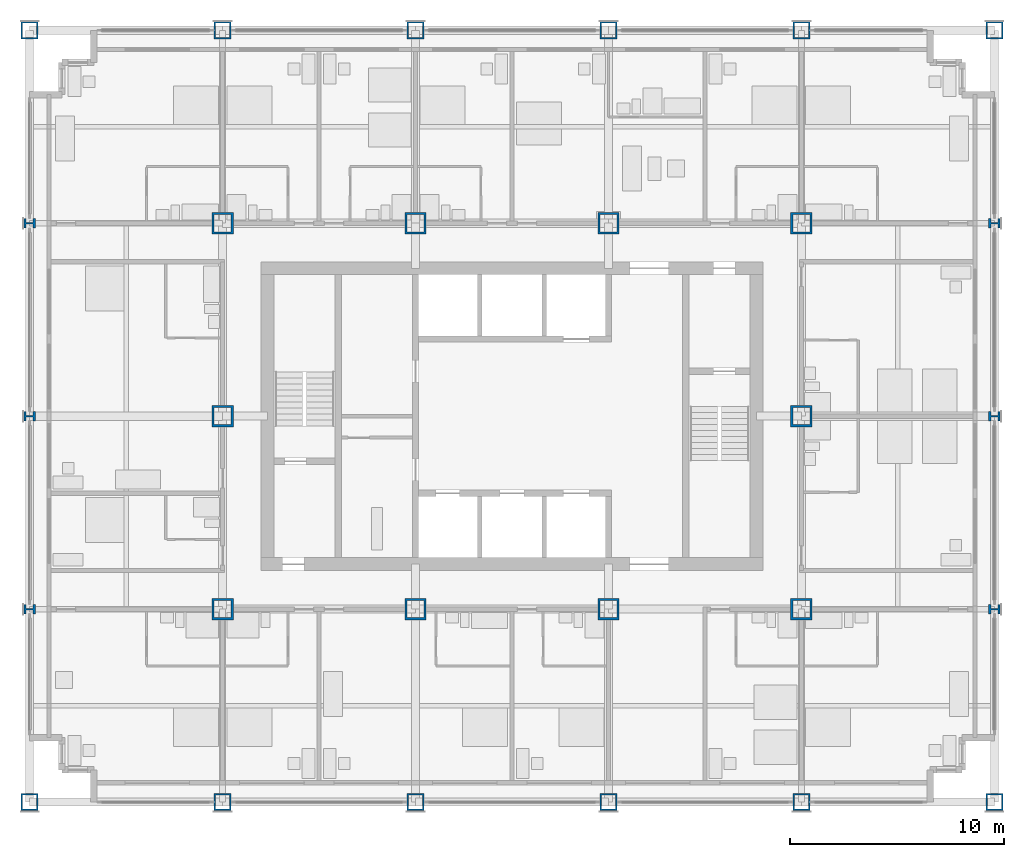
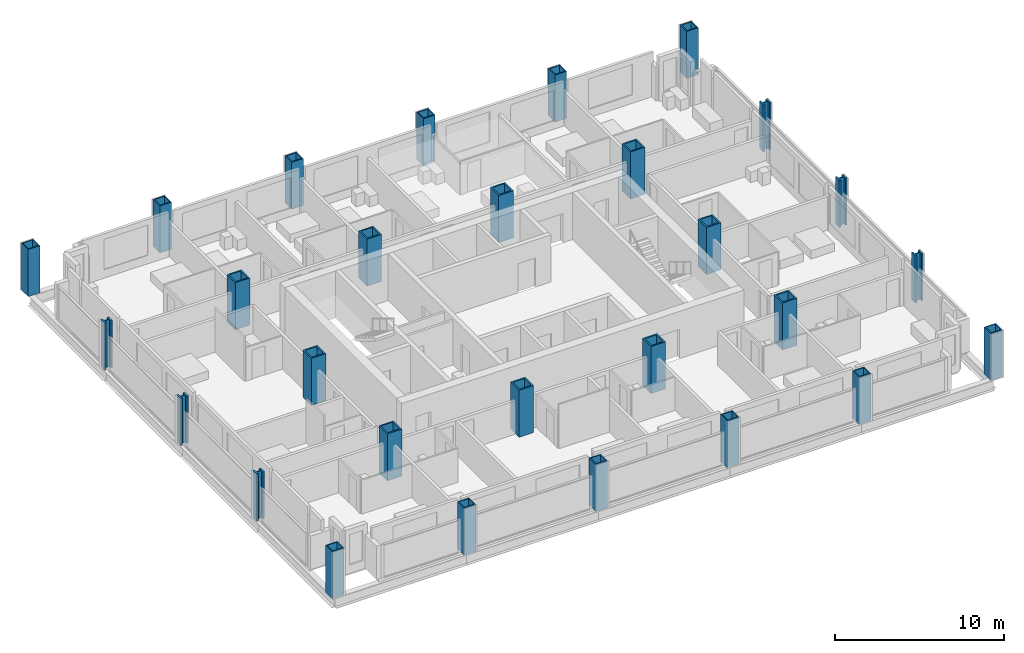
# One storey, part 1 of 16: 28 columns.
"""IFC4 building model written with IfcOpenShell, lengths in metres."""

from ifc_helpers import new_model, si_unit, direction, frame, origin, origin_2d, place, context, subcontext, project, spatial, hollow_rectangle, i_section, extrude, material, material_profile, profile_set, type_object, element, save


model = new_model("IFC4")

# Units and contexts
model_context = context("Model", 3, precision=1e-05, world=origin(), true_north=direction((0.0, 1.0)))
body_context = subcontext(model_context, "Body", "Model", "MODEL_VIEW")
ifc_project = project(units=[si_unit("LENGTHUNIT", "METRE"), si_unit("AREAUNIT", "SQUARE_METRE"), si_unit("VOLUMEUNIT", "CUBIC_METRE"), si_unit("PLANEANGLEUNIT", "RADIAN"), si_unit("MASSUNIT", "GRAM", prefix="KILO")], contexts=[model_context])

# Site, building, storey
site_placement = place(None, origin())
site = spatial("IfcSite", under=ifc_project, at=site_placement, CompositionType="ELEMENT")
building_placement = place(site_placement, origin())
building = spatial("IfcBuilding", under=site, at=building_placement, Name="Loomwork Tower", CompositionType="ELEMENT")
storey_placement = place(building_placement, frame((0.0, 0.0, 97.60009765625)))
storey = spatial("IfcBuildingStorey", under=building, at=storey_placement, Name="L25", CompositionType="ELEMENT", Elevation=97.60009765625)

# Columns
ifc_material_1 = material(Name="Steel ASTM A572 Grade 50 plate", Category="steel")
ifc_material_profile_1 = material_profile(ifc_material_1, hollow_rectangle(XDim=0.800048828125, YDim=0.800048828125, WallThickness=0.070068359375, at=origin_2d()), Name="BOX800x70")
ifc_profile_set_1 = profile_set([ifc_material_profile_1], Name="Steel ASTM A572 Grade 50 plate")
column_type_1 = type_object("IfcColumnType", Name="EXOSKELETON PIER BOX800x70", PredefinedType="COLUMN", material=ifc_profile_set_1)
for number, where, z_axis, x_axis, name in (
    (1, (0.0, 0.0, 0.0), (0.0, 0.0, 1.0), (1.0, 0.0, 0.0), "Exoskeleton Pier D/2 L25"),
    (2, (0.0, 36.0, 0.0), (0.0, 0.0, 1.0), (1.0, 0.0, 0.0), "Exoskeleton Pier H/2 L25"),
    (3, (9.0, 0.0, 0.0), (0.0, 0.0, 1.0), (1.0, 0.0, 0.0), "Exoskeleton Pier D/3 L25"),
    (4, (9.0, 36.0, 0.0), (0.0, 0.0, 1.0), (1.0, 0.0, 0.0), "Exoskeleton Pier H/3 L25"),
    (5, (18.0, 0.0, 0.0), (0.0, 0.0, 1.0), (1.0, 0.0, 0.0), "Exoskeleton Pier D/4 L25"),
    (6, (18.0, 36.0, 0.0), (0.0, 0.0, 1.0), (1.0, 0.0, 0.0), "Exoskeleton Pier H/4 L25"),
    (7, (27.0, 0.0, 0.0), (0.0, 0.0, 1.0), (1.0, 0.0, 0.0), "Exoskeleton Pier D/5 L25"),
    (8, (27.0, 36.0, 0.0), (0.0, 0.0, 1.0), (1.0, 0.0, 0.0), "Exoskeleton Pier H/5 L25"),
    (9, (36.0, 0.0, 0.0), (0.0, 0.0, 1.0), (1.0, 0.0, 0.0), "Exoskeleton Pier D/6 L25"),
    (10, (36.0, 36.0, 0.0), (0.0, 0.0, 1.0), (1.0, 0.0, 0.0), "Exoskeleton Pier H/6 L25"),
    (11, (45.0, 0.0, 0.0), (0.0, 0.0, 1.0), (1.0, 0.0, 0.0), "Exoskeleton Pier D/7 L25"),
    (12, (45.0, 36.0, 0.0), (0.0, 0.0, 1.0), (1.0, 0.0, 0.0), "Exoskeleton Pier H/7 L25"),
):
    element("IfcColumn", number, at=place(storey_placement, frame(where, z_axis=z_axis, x_axis=x_axis)), inside=storey, type_object=column_type_1, Name=name, PredefinedType="COLUMN", context=body_context, shape_type="SweptSolid", body=[
        extrude(hollow_rectangle(XDim=0.800048828125, YDim=0.800048828125, WallThickness=0.070068359375, at=origin_2d()), origin(), (0.0, 0.0, 1.0), 3.39990234375),
    ])
ifc_material_2 = material(Name="Steel ASTM A992", Category="steel")
ifc_material_profile_2 = material_profile(ifc_material_2, i_section(OverallWidth=0.449462890625, OverallDepth=0.548583984375, WebThickness=0.07177734375, FlangeThickness=0.11474609375, at=origin_2d()), Name="W14x665")
ifc_profile_set_2 = profile_set([ifc_material_profile_2], Name="Steel ASTM A992")
column_type_2 = type_object("IfcColumnType", Name="EXOSKELETON PIER W14x665", PredefinedType="COLUMN", material=ifc_profile_set_2)
for number, where, z_axis, x_axis, name in (
    (13, (0.0, 9.0, 0.0), (0.0, 0.0, 1.0), (0.0, 1.0, 0.0), "Exoskeleton Pier E/2 L25"),
    (14, (0.0, 18.0, 0.0), (0.0, 0.0, 1.0), (0.0, 1.0, 0.0), "Exoskeleton Pier F/2 L25"),
    (15, (0.0, 27.0, 0.0), (0.0, 0.0, 1.0), (0.0, 1.0, 0.0), "Exoskeleton Pier G/2 L25"),
    (16, (45.0, 9.0, 0.0), (0.0, 0.0, 1.0), (0.0, 1.0, 0.0), "Exoskeleton Pier E/7 L25"),
    (17, (45.0, 18.0, 0.0), (0.0, 0.0, 1.0), (0.0, 1.0, 0.0), "Exoskeleton Pier F/7 L25"),
    (18, (45.0, 27.0, 0.0), (0.0, 0.0, 1.0), (0.0, 1.0, 0.0), "Exoskeleton Pier G/7 L25"),
):
    element("IfcColumn", number, at=place(storey_placement, frame(where, z_axis=z_axis, x_axis=x_axis)), inside=storey, type_object=column_type_2, Name=name, PredefinedType="COLUMN", context=body_context, shape_type="SweptSolid", body=[
        extrude(i_section(OverallWidth=0.449462890625, OverallDepth=0.548583984375, WebThickness=0.07177734375, FlangeThickness=0.11474609375, at=origin_2d()), origin(), (0.0, 0.0, 1.0), 3.39990234375),
    ])
ifc_material_3 = material(Name="Steel ASTM A572 Grade 50 plate", Category="steel")
ifc_material_profile_3 = material_profile(ifc_material_3, hollow_rectangle(XDim=1.0, YDim=1.0, WallThickness=0.10009765625, at=origin_2d()), Name="BOX1000x100")
ifc_profile_set_3 = profile_set([ifc_material_profile_3], Name="Steel ASTM A572 Grade 50 plate")
column_type_3 = type_object("IfcColumnType", Name="TOWER COLUMN BOX1000x100", PredefinedType="COLUMN", material=ifc_profile_set_3)
for number, where, z_axis, x_axis, name in (
    (19, (9.0, 9.0, 0.0), (0.0, 0.0, 1.0), (1.0, 0.0, 0.0), "Tower Column E/3 L25"),
    (20, (9.0, 18.0, 0.0), (0.0, 0.0, 1.0), (1.0, 0.0, 0.0), "Tower Column F/3 L25"),
    (21, (9.0, 27.0, 0.0), (0.0, 0.0, 1.0), (1.0, 0.0, 0.0), "Tower Column G/3 L25"),
    (22, (18.0, 9.0, 0.0), (0.0, 0.0, 1.0), (1.0, 0.0, 0.0), "Tower Column E/4 L25"),
    (23, (18.0, 27.0, 0.0), (0.0, 0.0, 1.0), (1.0, 0.0, 0.0), "Tower Column G/4 L25"),
    (24, (27.0, 9.0, 0.0), (0.0, 0.0, 1.0), (1.0, 0.0, 0.0), "Tower Column E/5 L25"),
    (25, (27.0, 27.0, 0.0), (0.0, 0.0, 1.0), (1.0, 0.0, 0.0), "Tower Column G/5 L25"),
    (26, (36.0, 9.0, 0.0), (0.0, 0.0, 1.0), (0.0, 1.0, 0.0), "Tower Column E/6 L25"),
    (27, (36.0, 18.0, 0.0), (0.0, 0.0, 1.0), (0.0, 1.0, 0.0), "Tower Column F/6 L25"),
    (28, (36.0, 27.0, 0.0), (0.0, 0.0, 1.0), (1.0, 0.0, 0.0), "Tower Column G/6 L25"),
):
    element("IfcColumn", number, at=place(storey_placement, frame(where, z_axis=z_axis, x_axis=x_axis)), inside=storey, type_object=column_type_3, Name=name, PredefinedType="COLUMN", context=body_context, shape_type="SweptSolid", body=[
        extrude(hollow_rectangle(XDim=1.0, YDim=1.0, WallThickness=0.10009765625, at=origin_2d()), origin(), (0.0, 0.0, 1.0), 3.39990234375),
    ])

save(model, "model.ifc")
